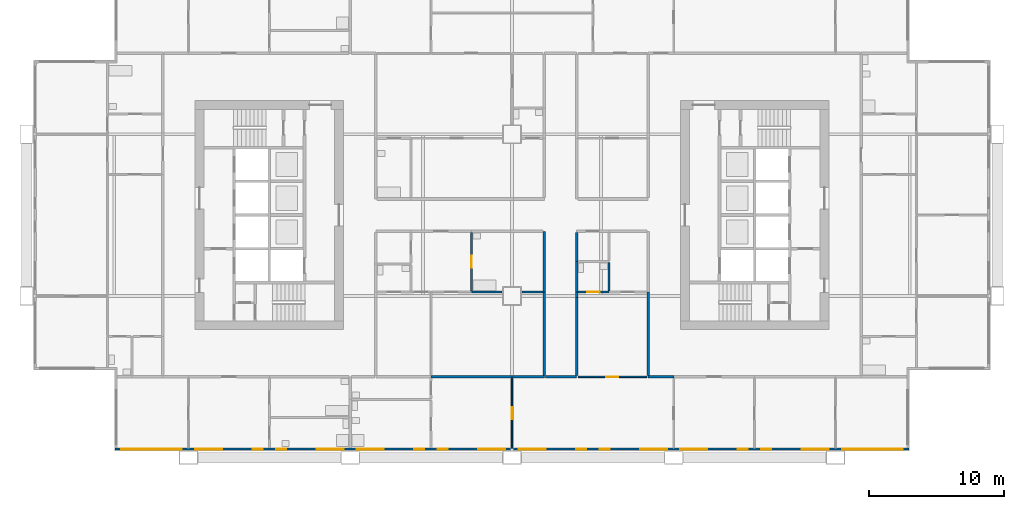
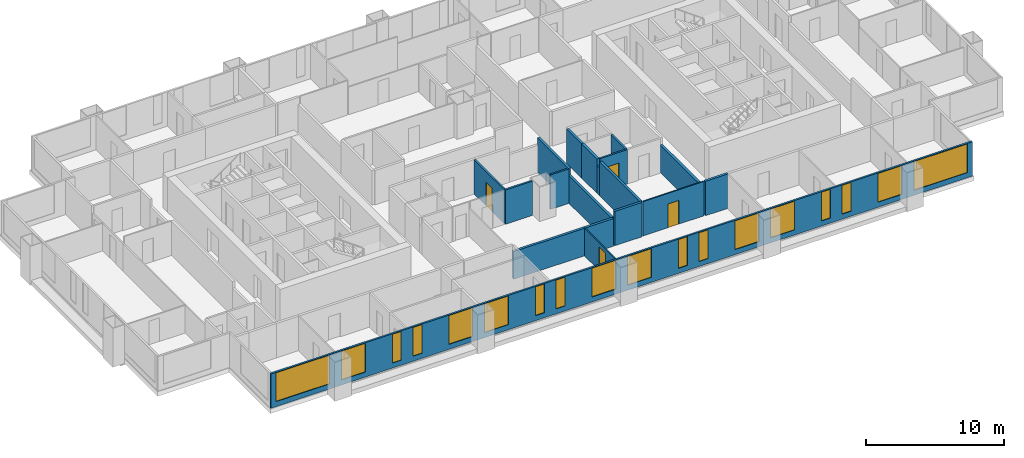
# One storey, part 5 of 13: 19 walls, 18 windows, 4 doors, 22 openings.
"""IFC4 building model written with IfcOpenShell, lengths in metres."""

from ifc_helpers import new_model, si_unit, direction, frame, frame_2d, origin, place, context, subcontext, project, spatial, rectangle, extrude, material, layer, layer_set, type_object, element, fill, save


model = new_model("IFC4")

# Units and contexts
model_context = context("Model", 3, precision=1e-05, world=origin(), true_north=direction((0.0, 1.0)))
body_context = subcontext(model_context, "Body", "Model", "MODEL_VIEW")
ifc_project = project(units=[si_unit("LENGTHUNIT", "METRE"), si_unit("AREAUNIT", "SQUARE_METRE"), si_unit("VOLUMEUNIT", "CUBIC_METRE"), si_unit("PLANEANGLEUNIT", "RADIAN"), si_unit("MASSUNIT", "GRAM", prefix="KILO")], contexts=[model_context])

# Site, building, storey
site_placement = place(None, origin())
site = spatial("IfcSite", under=ifc_project, at=site_placement, CompositionType="ELEMENT")
building_placement = place(site_placement, origin())
building = spatial("IfcBuilding", under=site, at=building_placement, Name="Kitamizu Gate Tower and Museum", CompositionType="ELEMENT")
storey_placement = place(building_placement, frame((0.0, 0.0, 144.89990234375)))
storey = spatial("IfcBuildingStorey", under=building, at=storey_placement, Name="L38", CompositionType="ELEMENT", Elevation=144.89990234375)

# Wall, opening, door
ifc_material_1 = material(Name="Gypsum board on galvanised stud")
ifc_layer_1 = layer(ifc_material_1, 0.10009765625)
ifc_layer_set_1 = layer_set([ifc_layer_1], Name="Gypsum board on galvanised stud")
wall_type_1 = type_object("IfcWallType", Name="Partition 100 NOT RATED", PredefinedType="PARTITIONING", material=ifc_layer_set_1)
wall_1_placement = place(storey_placement, frame((36.0, 12.719970703125, 0.0), z_axis=(0.0, 0.0, 1.0), x_axis=(0.0, 1.0, 0.0)))
wall_1 = element("IfcWall", 1, at=wall_1_placement, inside=storey, type_object=wall_type_1, Name="Partition L38-060", PredefinedType="PARTITIONING", context=body_context, shape_type="SweptSolid", body=[
    extrude(rectangle(XDim=5.179931640625, YDim=0.10009765625, at=frame_2d((2.58984375, 0.0))), origin(), (0.0, 0.0, 1.0), 2.4501953125),
])
opening_1_placement = place(wall_1_placement, frame((2.139892578125, 0.0, 0.0)))
opening_1 = element("IfcOpeningElement", 2, at=opening_1_placement, cuts=wall_1, Name="Opening L38-021", PredefinedType="OPENING", context=body_context, shape_type="SweptSolid", body=[
    extrude(rectangle(XDim=0.89990234375, YDim=2.10009765625, at=frame_2d((0.449951171875, 1.050048828125))), frame((0.0, 0.06005859375, 0.0), z_axis=(0.0, -1.0, 0.0), x_axis=(1.0, 0.0, 0.0)), (0.0, 0.0, 1.0), 0.1201171875),
])
ifc_material_2 = material(Name="Timber door set", Category="wood")
door_type_1 = type_object("IfcDoorType", Name="Room door 900", OperationType="NOTDEFINED", PredefinedType="DOOR", material=ifc_material_2)
door_1_placement = place(opening_1_placement, origin())
door_1 = element("IfcDoor", 3, at=door_1_placement, inside=storey, type_object=door_type_1, Name="Door L38-021", OperationType="SINGLE_SWING_LEFT", OverallHeight=2.10009765625, OverallWidth=0.89990234375, PredefinedType="DOOR", context=body_context, shape_type="SweptSolid", body=[
    extrude(rectangle(XDim=0.89990234375, YDim=2.10009765625, at=frame_2d((0.449951171875, 1.050048828125))), frame((0.0, 0.02490234375, 0.0), z_axis=(0.0, -1.0, 0.0), x_axis=(1.0, 0.0, 0.0)), (0.0, 0.0, 1.0), 0.050048828125),
])
fill(opening_1, door_1)

wall_2_placement = place(storey_placement, frame((46.0, 18.0, 0.0), z_axis=(0.0, 0.0, 1.0), x_axis=(-1.0, 0.0, 0.0)))
wall_2 = element("IfcWall", 4, at=wall_2_placement, inside=storey, type_object=wall_type_1, Name="Partition L38-062", PredefinedType="PARTITIONING", context=body_context, shape_type="SweptSolid", body=[
    extrude(rectangle(XDim=5.10009765625, YDim=0.10009765625, at=frame_2d((2.550048828125, 0.0))), origin(), (0.0, 0.0, 1.0), 3.050048828125),
])
opening_2_placement = place(wall_2_placement, frame((2.10009765625, 0.0, 0.0)))
opening_2 = element("IfcOpeningElement", 5, at=opening_2_placement, cuts=wall_2, Name="Opening L38-025", PredefinedType="OPENING", context=body_context, shape_type="SweptSolid", body=[
    extrude(rectangle(XDim=0.89990234375, YDim=2.10009765625, at=frame_2d((0.449951171875, 1.050048828125))), frame((0.0, 0.06005859375, 0.0), z_axis=(0.0, -1.0, 0.0), x_axis=(1.0, 0.0, 0.0)), (0.0, 0.0, 1.0), 0.1201171875),
])
door_2_placement = place(opening_2_placement, frame((0.89990234375, 0.0, 0.0), x_axis=(-1.0, 0.0, 0.0)))
door_2 = element("IfcDoor", 6, at=door_2_placement, inside=storey, type_object=door_type_1, Name="Door L38-025", OperationType="SINGLE_SWING_RIGHT", OverallHeight=2.10009765625, OverallWidth=0.89990234375, PredefinedType="DOOR", context=body_context, shape_type="SweptSolid", body=[
    extrude(rectangle(XDim=0.89990234375, YDim=2.10009765625, at=frame_2d((0.449951171875, 1.050048828125))), frame((0.0, 0.02490234375, 0.0), z_axis=(0.0, -1.0, 0.0), x_axis=(1.0, 0.0, 0.0)), (0.0, 0.0, 1.0), 0.050048828125),
])
fill(opening_2, door_2)

# Walls
ifc_material_3 = material(Name="Gypsum board on galvanised stud")
ifc_layer_2 = layer(ifc_material_3, 0.14990234375)
ifc_layer_set_2 = layer_set([ifc_layer_2], Name="Gypsum board on galvanised stud")
wall_type_2 = type_object("IfcWallType", Name="Partition 150", PredefinedType="PARTITIONING", material=ifc_layer_set_2)
wall_3_placement = place(storey_placement, frame((35.25, 24.300048828125, 0.0), z_axis=(0.0, 0.0, 1.0), x_axis=(-1.0, 0.0, 0.0)))
element("IfcWall", 7, at=wall_3_placement, inside=storey, type_object=wall_type_2, Name="Partition L38-040", PredefinedType="PARTITIONING", context=body_context, shape_type="SweptSolid", body=[
    extrude(rectangle(XDim=2.25, YDim=0.14990234375, at=frame_2d((1.125, 0.0))), origin(), (0.0, 0.0, 1.0), 3.050048828125),
])
wall_4_placement = place(storey_placement, frame((38.300048828125, 24.300048828125, 0.0), z_axis=(0.0, 0.0, 1.0), x_axis=(-1.0, 0.0, 0.0)))
element("IfcWall", 8, at=wall_4_placement, inside=storey, type_object=wall_type_2, Name="Partition L38-041", PredefinedType="PARTITIONING", context=body_context, shape_type="SweptSolid", body=[
    extrude(rectangle(XDim=1.550048828125, YDim=0.14990234375, at=frame_2d((0.77490234375, 0.0))), origin(), (0.0, 0.0, 1.0), 3.050048828125),
])

# Wall, opening, door
wall_5_placement = place(storey_placement, frame((33.0, 24.375, 0.0), z_axis=(0.0, 0.0, 1.0), x_axis=(0.0, 1.0, 0.0)))
wall_5 = element("IfcWall", 9, at=wall_5_placement, inside=storey, type_object=wall_type_2, Name="Partition L38-051", PredefinedType="PARTITIONING", context=body_context, shape_type="SweptSolid", body=[
    extrude(rectangle(XDim=4.324951171875, YDim=0.14990234375, at=frame_2d((2.16259765625, 0.0))), origin(), (0.0, 0.0, 1.0), 3.050048828125),
])
opening_3_placement = place(wall_5_placement, frame((1.71240234375, 0.0, 0.0)))
opening_3 = element("IfcOpeningElement", 10, at=opening_3_placement, cuts=wall_5, Name="Opening L38-018", PredefinedType="OPENING", context=body_context, shape_type="SweptSolid", body=[
    extrude(rectangle(XDim=0.89990234375, YDim=2.10009765625, at=frame_2d((0.449951171875, 1.050048828125))), frame((0.0, 0.0849609375, 0.0), z_axis=(0.0, -1.0, 0.0), x_axis=(1.0, 0.0, 0.0)), (0.0, 0.0, 1.0), 0.169921875),
])
ifc_material_4 = material(Name="Timber door set", Category="wood")
door_type_2 = type_object("IfcDoorType", Name="Bathroom door 900", OperationType="NOTDEFINED", PredefinedType="DOOR", material=ifc_material_4)
door_3_placement = place(opening_3_placement, frame((0.89990234375, 0.0, 0.0), x_axis=(-1.0, 0.0, 0.0)))
door_3 = element("IfcDoor", 11, at=door_3_placement, inside=storey, type_object=door_type_2, Name="Bathroom door L38-018", OperationType="SINGLE_SWING_LEFT", OverallHeight=2.10009765625, OverallWidth=0.89990234375, PredefinedType="DOOR", context=body_context, shape_type="SweptSolid", body=[
    extrude(rectangle(XDim=0.89990234375, YDim=2.10009765625, at=frame_2d((0.449951171875, 1.050048828125))), frame((0.0, 0.02490234375, 0.0), z_axis=(0.0, -1.0, 0.0), x_axis=(1.0, 0.0, 0.0)), (0.0, 0.0, 1.0), 0.050048828125),
])
fill(opening_3, door_3)

wall_6_placement = place(storey_placement, frame((43.199951171875, 24.300048828125, 0.0), z_axis=(0.0, 0.0, 1.0), x_axis=(-1.0, 0.0, 0.0)))
wall_6 = element("IfcWall", 12, at=wall_6_placement, inside=storey, type_object=wall_type_2, Name="Partition L38-071", PredefinedType="PARTITIONING", context=body_context, shape_type="SweptSolid", body=[
    extrude(rectangle(XDim=2.300048828125, YDim=0.14990234375, at=frame_2d((1.14990234375, 0.0))), origin(), (0.0, 0.0, 1.0), 3.050048828125),
])
opening_4_placement = place(wall_6_placement, frame((0.699951171875, 0.0, 0.0)))
opening_4 = element("IfcOpeningElement", 13, at=opening_4_placement, cuts=wall_6, Name="Opening L38-027", PredefinedType="OPENING", context=body_context, shape_type="SweptSolid", body=[
    extrude(rectangle(XDim=0.89990234375, YDim=2.10009765625, at=frame_2d((0.449951171875, 1.050048828125))), frame((0.0, 0.0849609375, 0.0), z_axis=(0.0, -1.0, 0.0), x_axis=(1.0, 0.0, 0.0)), (0.0, 0.0, 1.0), 0.169921875),
])
door_4_placement = place(opening_4_placement, frame((0.89990234375, 0.0, 0.0), x_axis=(-1.0, 0.0, 0.0)))
door_4 = element("IfcDoor", 14, at=door_4_placement, inside=storey, type_object=door_type_2, Name="Bathroom door L38-027", OperationType="SINGLE_SWING_RIGHT", OverallHeight=2.10009765625, OverallWidth=0.89990234375, PredefinedType="DOOR", context=body_context, shape_type="SweptSolid", body=[
    extrude(rectangle(XDim=0.89990234375, YDim=2.10009765625, at=frame_2d((0.449951171875, 1.050048828125))), frame((0.0, 0.02490234375, 0.0), z_axis=(0.0, -1.0, 0.0), x_axis=(1.0, 0.0, 0.0)), (0.0, 0.0, 1.0), 0.050048828125),
])
fill(opening_4, door_4)

# Walls
wall_7_placement = place(storey_placement, frame((43.199951171875, 24.375, 0.0), z_axis=(0.0, 0.0, 1.0), x_axis=(0.0, 1.0, 0.0)))
element("IfcWall", 15, at=wall_7_placement, inside=storey, type_object=wall_type_2, Name="Partition L38-077", PredefinedType="PARTITIONING", context=body_context, shape_type="SweptSolid", body=[
    extrude(rectangle(XDim=2.10009765625, YDim=0.14990234375, at=frame_2d((1.050048828125, 0.0))), origin(), (0.0, 0.0, 1.0), 3.050048828125),
])
ifc_material_5 = material(Name="Gypsum board on galvanised stud")
ifc_layer_3 = layer(ifc_material_5, 0.199951171875)
ifc_layer_set_3 = layer_set([ifc_layer_3], Name="Gypsum board on galvanised stud")
wall_type_3 = type_object("IfcWallType", Name="Partition 200", PredefinedType="PARTITIONING", material=ifc_layer_set_3)
wall_8_placement = place(storey_placement, frame((30.0, 18.0, 0.0), z_axis=(0.0, 0.0, 1.0), x_axis=(1.0, 0.0, 0.0)))
element("IfcWall", 16, at=wall_8_placement, inside=storey, type_object=wall_type_3, Name="Partition L38-042", PredefinedType="PARTITIONING", context=body_context, shape_type="SweptSolid", body=[
    extrude(rectangle(XDim=6.0, YDim=0.199951171875, at=frame_2d((3.0, 0.0))), origin(), (0.0, 0.0, 1.0), 2.4501953125),
])
wall_9_placement = place(storey_placement, frame((36.0, 18.0, 0.0), z_axis=(0.0, 0.0, 1.0), x_axis=(1.0, 0.0, 0.0)))
element("IfcWall", 17, at=wall_9_placement, inside=storey, type_object=wall_type_3, Name="Partition L38-043", PredefinedType="PARTITIONING", context=body_context, shape_type="SweptSolid", body=[
    extrude(rectangle(XDim=2.39990234375, YDim=0.199951171875, at=frame_2d((1.199951171875, 0.0))), origin(), (0.0, 0.0, 1.0), 2.4501953125),
])
wall_10_placement = place(storey_placement, frame((38.39990234375, 18.10009765625, 0.0), z_axis=(0.0, 0.0, 1.0), x_axis=(0.0, 1.0, 0.0)))
element("IfcWall", 18, at=wall_10_placement, inside=storey, type_object=wall_type_3, Name="Partition L38-044", PredefinedType="PARTITIONING", context=body_context, shape_type="SweptSolid", body=[
    extrude(rectangle(XDim=6.199951171875, YDim=0.199951171875, at=frame_2d((3.10009765625, 0.0))), origin(), (0.0, 0.0, 1.0), 2.4501953125),
])
wall_11_placement = place(storey_placement, frame((38.39990234375, 24.300048828125, 0.0), z_axis=(0.0, 0.0, 1.0), x_axis=(0.0, 1.0, 0.0)))
element("IfcWall", 19, at=wall_11_placement, inside=storey, type_object=wall_type_3, Name="Partition L38-053", PredefinedType="PARTITIONING", context=body_context, shape_type="SweptSolid", body=[
    extrude(rectangle(XDim=4.5, YDim=0.199951171875, at=frame_2d((2.25, 0.0))), origin(), (0.0, 0.0, 1.0), 3.050048828125),
])
wall_12_placement = place(storey_placement, frame((40.800048828125, 18.0, 0.0), z_axis=(0.0, 0.0, 1.0), x_axis=(-1.0, 0.0, 0.0)))
element("IfcWall", 20, at=wall_12_placement, inside=storey, type_object=wall_type_3, Name="Partition L38-063", PredefinedType="PARTITIONING", context=body_context, shape_type="SweptSolid", body=[
    extrude(rectangle(XDim=2.300048828125, YDim=0.199951171875, at=frame_2d((1.14990234375, 0.0))), origin(), (0.0, 0.0, 1.0), 3.050048828125),
])
wall_13_placement = place(storey_placement, frame((48.0, 18.0, 0.0), z_axis=(0.0, 0.0, 1.0), x_axis=(-1.0, 0.0, 0.0)))
element("IfcWall", 21, at=wall_13_placement, inside=storey, type_object=wall_type_3, Name="Partition L38-064", PredefinedType="PARTITIONING", context=body_context, shape_type="SweptSolid", body=[
    extrude(rectangle(XDim=1.89990234375, YDim=0.199951171875, at=frame_2d((0.949951171875, 0.0))), origin(), (0.0, 0.0, 1.0), 3.050048828125),
])
wall_14_placement = place(storey_placement, frame((40.800048828125, 24.300048828125, 0.0), z_axis=(0.0, 0.0, 1.0), x_axis=(0.0, -1.0, 0.0)))
element("IfcWall", 22, at=wall_14_placement, inside=storey, type_object=wall_type_3, Name="Partition L38-073", PredefinedType="PARTITIONING", context=body_context, shape_type="SweptSolid", body=[
    extrude(rectangle(XDim=0.400146484375, YDim=0.199951171875, at=frame_2d((0.2001953125, 0.0))), origin(), (0.0, 0.0, 1.0), 2.4501953125),
])
wall_15_placement = place(storey_placement, frame((40.800048828125, 23.89990234375, 0.0), z_axis=(0.0, 0.0, 1.0), x_axis=(0.0, -1.0, 0.0)))
element("IfcWall", 23, at=wall_15_placement, inside=storey, type_object=wall_type_3, Name="Partition L38-074", PredefinedType="PARTITIONING", context=body_context, shape_type="SweptSolid", body=[
    extrude(rectangle(XDim=5.7998046875, YDim=0.199951171875, at=frame_2d((2.89990234375, 0.0))), origin(), (0.0, 0.0, 1.0), 3.050048828125),
])
wall_16_placement = place(storey_placement, frame((46.10009765625, 18.10009765625, 0.0), z_axis=(0.0, 0.0, 1.0), x_axis=(0.0, 1.0, 0.0)))
element("IfcWall", 24, at=wall_16_placement, inside=storey, type_object=wall_type_3, Name="Partition L38-075", PredefinedType="PARTITIONING", context=body_context, shape_type="SweptSolid", body=[
    extrude(rectangle(XDim=6.199951171875, YDim=0.199951171875, at=frame_2d((3.10009765625, 0.0))), origin(), (0.0, 0.0, 1.0), 2.4501953125),
])
wall_17_placement = place(storey_placement, frame((40.800048828125, 26.550048828125, 0.0), z_axis=(0.0, 0.0, 1.0), x_axis=(0.0, -1.0, 0.0)))
element("IfcWall", 25, at=wall_17_placement, inside=storey, type_object=wall_type_3, Name="Partition L38-078", PredefinedType="PARTITIONING", context=body_context, shape_type="SweptSolid", body=[
    extrude(rectangle(XDim=2.25, YDim=0.199951171875, at=frame_2d((1.125, 0.0))), origin(), (0.0, 0.0, 1.0), 3.050048828125),
])
wall_18_placement = place(storey_placement, frame((40.800048828125, 28.699951171875, 0.0), z_axis=(0.0, 0.0, 1.0), x_axis=(0.0, -1.0, 0.0)))
element("IfcWall", 26, at=wall_18_placement, inside=storey, type_object=wall_type_3, Name="Partition L38-081", PredefinedType="PARTITIONING", context=body_context, shape_type="SweptSolid", body=[
    extrude(rectangle(XDim=2.14990234375, YDim=0.199951171875, at=frame_2d((1.074951171875, 0.0))), origin(), (0.0, 0.0, 1.0), 3.050048828125),
])

# Wall, openings, windows
ifc_material_6 = material(Name="Bronze anodised aluminium frame with insulated spandrel and tinted glass", Category="aluminium")
ifc_layer_4 = layer(ifc_material_6, 0.14990234375)
ifc_layer_set_4 = layer_set([ifc_layer_4], Name="Bronze anodised aluminium frame with insulated spandrel and tinted glass")
wall_type_4 = type_object("IfcWallType", Name="WINDOW WALL 150 BRONZE FRAME EI 30", PredefinedType="ELEMENTEDWALL", material=ifc_layer_set_4)
wall_19_placement = place(storey_placement, frame((6.56005859375, 12.635009765625, 0.0), z_axis=(0.0, 0.0, 1.0), x_axis=(1.0, 0.0, 0.0)))
wall_19 = element("IfcWall", 27, at=wall_19_placement, inside=storey, type_object=wall_type_4, Name="Window wall south L38", PredefinedType="ELEMENTEDWALL", context=body_context, shape_type="SweptSolid", body=[
    extrude(rectangle(XDim=58.8798828125, YDim=0.14990234375, at=frame_2d((29.43994140625, 0.0))), origin(), (0.0, 0.0, 1.0), 3.050048828125),
])
opening_5_placement = place(wall_19_placement, frame((0.43994140625, 0.0, 0.449951171875)))
opening_5 = element("IfcOpeningElement", 28, at=opening_5_placement, cuts=wall_19, Name="Opening W15", PredefinedType="OPENING", context=body_context, shape_type="SweptSolid", body=[
    extrude(rectangle(XDim=4.5, YDim=2.550048828125, at=frame_2d((2.25, 1.27490234375))), frame((0.0, 0.0849609375, 0.0), z_axis=(0.0, -1.0, 0.0), x_axis=(1.0, 0.0, 0.0)), (0.0, 0.0, 1.0), 0.169921875),
])
opening_6_placement = place(wall_19_placement, frame((5.93994140625, 0.0, 0.449951171875)))
opening_6 = element("IfcOpeningElement", 29, at=opening_6_placement, cuts=wall_19, Name="Opening W2", PredefinedType="OPENING", context=body_context, shape_type="SweptSolid", body=[
    extrude(rectangle(XDim=2.0, YDim=2.550048828125, at=frame_2d((1.0, 1.27490234375))), frame((0.0, 0.0849609375, 0.0), z_axis=(0.0, -1.0, 0.0), x_axis=(1.0, 0.0, 0.0)), (0.0, 0.0, 1.0), 0.169921875),
])
opening_7_placement = place(wall_19_placement, frame((10.18994140625, 0.0, 0.449951171875)))
opening_7 = element("IfcOpeningElement", 30, at=opening_7_placement, cuts=wall_19, Name="Opening W25", PredefinedType="OPENING", context=body_context, shape_type="SweptSolid", body=[
    extrude(rectangle(XDim=0.75, YDim=2.550048828125, at=frame_2d((0.375, 1.27490234375))), frame((0.0, 0.0849609375, 0.0), z_axis=(0.0, -1.0, 0.0), x_axis=(1.0, 0.0, 0.0)), (0.0, 0.0, 1.0), 0.169921875),
])
opening_8_placement = place(wall_19_placement, frame((11.93994140625, 0.0, 0.449951171875)))
opening_8 = element("IfcOpeningElement", 31, at=opening_8_placement, cuts=wall_19, Name="Opening W25", PredefinedType="OPENING", context=body_context, shape_type="SweptSolid", body=[
    extrude(rectangle(XDim=0.75, YDim=2.550048828125, at=frame_2d((0.375, 1.27490234375))), frame((0.0, 0.0849609375, 0.0), z_axis=(0.0, -1.0, 0.0), x_axis=(1.0, 0.0, 0.0)), (0.0, 0.0, 1.0), 0.169921875),
])
opening_9_placement = place(wall_19_placement, frame((14.93994140625, 0.0, 0.449951171875)))
opening_9 = element("IfcOpeningElement", 32, at=opening_9_placement, cuts=wall_19, Name="Opening W2", PredefinedType="OPENING", context=body_context, shape_type="SweptSolid", body=[
    extrude(rectangle(XDim=2.0, YDim=2.550048828125, at=frame_2d((1.0, 1.27490234375))), frame((0.0, 0.0849609375, 0.0), z_axis=(0.0, -1.0, 0.0), x_axis=(1.0, 0.0, 0.0)), (0.0, 0.0, 1.0), 0.169921875),
])
opening_10_placement = place(wall_19_placement, frame((17.93994140625, 0.0, 0.449951171875)))
opening_10 = element("IfcOpeningElement", 33, at=opening_10_placement, cuts=wall_19, Name="Opening W2", PredefinedType="OPENING", context=body_context, shape_type="SweptSolid", body=[
    extrude(rectangle(XDim=2.0, YDim=2.550048828125, at=frame_2d((1.0, 1.27490234375))), frame((0.0, 0.0849609375, 0.0), z_axis=(0.0, -1.0, 0.0), x_axis=(1.0, 0.0, 0.0)), (0.0, 0.0, 1.0), 0.169921875),
])
opening_11_placement = place(wall_19_placement, frame((22.18994140625, 0.0, 0.449951171875)))
opening_11 = element("IfcOpeningElement", 34, at=opening_11_placement, cuts=wall_19, Name="Opening W25", PredefinedType="OPENING", context=body_context, shape_type="SweptSolid", body=[
    extrude(rectangle(XDim=0.75, YDim=2.550048828125, at=frame_2d((0.375, 1.27490234375))), frame((0.0, 0.0849609375, 0.0), z_axis=(0.0, -1.0, 0.0), x_axis=(1.0, 0.0, 0.0)), (0.0, 0.0, 1.0), 0.169921875),
])
opening_12_placement = place(wall_19_placement, frame((23.93994140625, 0.0, 0.449951171875)))
opening_12 = element("IfcOpeningElement", 35, at=opening_12_placement, cuts=wall_19, Name="Opening W25", PredefinedType="OPENING", context=body_context, shape_type="SweptSolid", body=[
    extrude(rectangle(XDim=0.75, YDim=2.550048828125, at=frame_2d((0.375, 1.27490234375))), frame((0.0, 0.0849609375, 0.0), z_axis=(0.0, -1.0, 0.0), x_axis=(1.0, 0.0, 0.0)), (0.0, 0.0, 1.0), 0.169921875),
])
opening_13_placement = place(wall_19_placement, frame((26.93994140625, 0.0, 0.449951171875)))
opening_13 = element("IfcOpeningElement", 36, at=opening_13_placement, cuts=wall_19, Name="Opening W2", PredefinedType="OPENING", context=body_context, shape_type="SweptSolid", body=[
    extrude(rectangle(XDim=2.0, YDim=2.550048828125, at=frame_2d((1.0, 1.27490234375))), frame((0.0, 0.0849609375, 0.0), z_axis=(0.0, -1.0, 0.0), x_axis=(1.0, 0.0, 0.0)), (0.0, 0.0, 1.0), 0.169921875),
])
opening_14_placement = place(wall_19_placement, frame((29.93994140625, 0.0, 0.449951171875)))
opening_14 = element("IfcOpeningElement", 37, at=opening_14_placement, cuts=wall_19, Name="Opening W2", PredefinedType="OPENING", context=body_context, shape_type="SweptSolid", body=[
    extrude(rectangle(XDim=2.0, YDim=2.550048828125, at=frame_2d((1.0, 1.27490234375))), frame((0.0, 0.0849609375, 0.0), z_axis=(0.0, -1.0, 0.0), x_axis=(1.0, 0.0, 0.0)), (0.0, 0.0, 1.0), 0.169921875),
])
opening_15_placement = place(wall_19_placement, frame((34.18994140625, 0.0, 0.449951171875)))
opening_15 = element("IfcOpeningElement", 38, at=opening_15_placement, cuts=wall_19, Name="Opening W25", PredefinedType="OPENING", context=body_context, shape_type="SweptSolid", body=[
    extrude(rectangle(XDim=0.75, YDim=2.550048828125, at=frame_2d((0.375, 1.27490234375))), frame((0.0, 0.0849609375, 0.0), z_axis=(0.0, -1.0, 0.0), x_axis=(1.0, 0.0, 0.0)), (0.0, 0.0, 1.0), 0.169921875),
])
opening_16_placement = place(wall_19_placement, frame((35.93994140625, 0.0, 0.449951171875)))
opening_16 = element("IfcOpeningElement", 39, at=opening_16_placement, cuts=wall_19, Name="Opening W25", PredefinedType="OPENING", context=body_context, shape_type="SweptSolid", body=[
    extrude(rectangle(XDim=0.75, YDim=2.550048828125, at=frame_2d((0.375, 1.27490234375))), frame((0.0, 0.0849609375, 0.0), z_axis=(0.0, -1.0, 0.0), x_axis=(1.0, 0.0, 0.0)), (0.0, 0.0, 1.0), 0.169921875),
])
opening_17_placement = place(wall_19_placement, frame((38.93994140625, 0.0, 0.449951171875)))
opening_17 = element("IfcOpeningElement", 40, at=opening_17_placement, cuts=wall_19, Name="Opening W2", PredefinedType="OPENING", context=body_context, shape_type="SweptSolid", body=[
    extrude(rectangle(XDim=2.0, YDim=2.550048828125, at=frame_2d((1.0, 1.27490234375))), frame((0.0, 0.0849609375, 0.0), z_axis=(0.0, -1.0, 0.0), x_axis=(1.0, 0.0, 0.0)), (0.0, 0.0, 1.0), 0.169921875),
])
opening_18_placement = place(wall_19_placement, frame((41.93994140625, 0.0, 0.449951171875)))
opening_18 = element("IfcOpeningElement", 41, at=opening_18_placement, cuts=wall_19, Name="Opening W2", PredefinedType="OPENING", context=body_context, shape_type="SweptSolid", body=[
    extrude(rectangle(XDim=2.0, YDim=2.550048828125, at=frame_2d((1.0, 1.27490234375))), frame((0.0, 0.0849609375, 0.0), z_axis=(0.0, -1.0, 0.0), x_axis=(1.0, 0.0, 0.0)), (0.0, 0.0, 1.0), 0.169921875),
])
opening_19_placement = place(wall_19_placement, frame((46.18994140625, 0.0, 0.449951171875)))
opening_19 = element("IfcOpeningElement", 42, at=opening_19_placement, cuts=wall_19, Name="Opening W25", PredefinedType="OPENING", context=body_context, shape_type="SweptSolid", body=[
    extrude(rectangle(XDim=0.75, YDim=2.550048828125, at=frame_2d((0.375, 1.27490234375))), frame((0.0, 0.0849609375, 0.0), z_axis=(0.0, -1.0, 0.0), x_axis=(1.0, 0.0, 0.0)), (0.0, 0.0, 1.0), 0.169921875),
])
opening_20_placement = place(wall_19_placement, frame((47.93994140625, 0.0, 0.449951171875)))
opening_20 = element("IfcOpeningElement", 43, at=opening_20_placement, cuts=wall_19, Name="Opening W25", PredefinedType="OPENING", context=body_context, shape_type="SweptSolid", body=[
    extrude(rectangle(XDim=0.75, YDim=2.550048828125, at=frame_2d((0.375, 1.27490234375))), frame((0.0, 0.0849609375, 0.0), z_axis=(0.0, -1.0, 0.0), x_axis=(1.0, 0.0, 0.0)), (0.0, 0.0, 1.0), 0.169921875),
])
opening_21_placement = place(wall_19_placement, frame((50.93994140625, 0.0, 0.449951171875)))
opening_21 = element("IfcOpeningElement", 44, at=opening_21_placement, cuts=wall_19, Name="Opening W2", PredefinedType="OPENING", context=body_context, shape_type="SweptSolid", body=[
    extrude(rectangle(XDim=2.0, YDim=2.550048828125, at=frame_2d((1.0, 1.27490234375))), frame((0.0, 0.0849609375, 0.0), z_axis=(0.0, -1.0, 0.0), x_axis=(1.0, 0.0, 0.0)), (0.0, 0.0, 1.0), 0.169921875),
])
opening_22_placement = place(wall_19_placement, frame((53.93994140625, 0.0, 0.449951171875)))
opening_22 = element("IfcOpeningElement", 45, at=opening_22_placement, cuts=wall_19, Name="Opening W15", PredefinedType="OPENING", context=body_context, shape_type="SweptSolid", body=[
    extrude(rectangle(XDim=4.5, YDim=2.550048828125, at=frame_2d((2.25, 1.27490234375))), frame((0.0, 0.0849609375, 0.0), z_axis=(0.0, -1.0, 0.0), x_axis=(1.0, 0.0, 0.0)), (0.0, 0.0, 1.0), 0.169921875),
])
ifc_material_7 = material(Name="Bronze anodised aluminium frame, tinted triple glazing", Category="aluminium")
window_type_1 = type_object("IfcWindowType", Name="WINDOW 2000 x 2550 SILL 450", PartitioningType="SINGLE_PANEL", PredefinedType="WINDOW", material=ifc_material_7)
window_1_placement = place(opening_6_placement, origin())
window_1 = element("IfcWindow", 46, at=window_1_placement, inside=storey, type_object=window_type_1, Name="Window W2 L38", OverallHeight=2.550048828125, OverallWidth=2.0, PartitioningType="SINGLE_PANEL", PredefinedType="WINDOW", context=body_context, shape_type="SweptSolid", body=[
    extrude(rectangle(XDim=2.0, YDim=2.550048828125, at=frame_2d((1.0, 1.27490234375))), frame((0.0, 0.030029296875, 0.0), z_axis=(0.0, -1.0, 0.0), x_axis=(1.0, 0.0, 0.0)), (0.0, 0.0, 1.0), 0.06005859375),
])
fill(opening_6, window_1)
window_2_placement = place(opening_9_placement, origin())
window_2 = element("IfcWindow", 47, at=window_2_placement, inside=storey, type_object=window_type_1, Name="Window W2 L38", OverallHeight=2.550048828125, OverallWidth=2.0, PartitioningType="SINGLE_PANEL", PredefinedType="WINDOW", context=body_context, shape_type="SweptSolid", body=[
    extrude(rectangle(XDim=2.0, YDim=2.550048828125, at=frame_2d((1.0, 1.27490234375))), frame((0.0, 0.030029296875, 0.0), z_axis=(0.0, -1.0, 0.0), x_axis=(1.0, 0.0, 0.0)), (0.0, 0.0, 1.0), 0.06005859375),
])
fill(opening_9, window_2)
window_3_placement = place(opening_10_placement, origin())
window_3 = element("IfcWindow", 48, at=window_3_placement, inside=storey, type_object=window_type_1, Name="Window W2 L38", OverallHeight=2.550048828125, OverallWidth=2.0, PartitioningType="SINGLE_PANEL", PredefinedType="WINDOW", context=body_context, shape_type="SweptSolid", body=[
    extrude(rectangle(XDim=2.0, YDim=2.550048828125, at=frame_2d((1.0, 1.27490234375))), frame((0.0, 0.030029296875, 0.0), z_axis=(0.0, -1.0, 0.0), x_axis=(1.0, 0.0, 0.0)), (0.0, 0.0, 1.0), 0.06005859375),
])
fill(opening_10, window_3)
window_4_placement = place(opening_13_placement, origin())
window_4 = element("IfcWindow", 49, at=window_4_placement, inside=storey, type_object=window_type_1, Name="Window W2 L38", OverallHeight=2.550048828125, OverallWidth=2.0, PartitioningType="SINGLE_PANEL", PredefinedType="WINDOW", context=body_context, shape_type="SweptSolid", body=[
    extrude(rectangle(XDim=2.0, YDim=2.550048828125, at=frame_2d((1.0, 1.27490234375))), frame((0.0, 0.030029296875, 0.0), z_axis=(0.0, -1.0, 0.0), x_axis=(1.0, 0.0, 0.0)), (0.0, 0.0, 1.0), 0.06005859375),
])
fill(opening_13, window_4)
window_5_placement = place(opening_14_placement, origin())
window_5 = element("IfcWindow", 50, at=window_5_placement, inside=storey, type_object=window_type_1, Name="Window W2 L38", OverallHeight=2.550048828125, OverallWidth=2.0, PartitioningType="SINGLE_PANEL", PredefinedType="WINDOW", context=body_context, shape_type="SweptSolid", body=[
    extrude(rectangle(XDim=2.0, YDim=2.550048828125, at=frame_2d((1.0, 1.27490234375))), frame((0.0, 0.030029296875, 0.0), z_axis=(0.0, -1.0, 0.0), x_axis=(1.0, 0.0, 0.0)), (0.0, 0.0, 1.0), 0.06005859375),
])
fill(opening_14, window_5)
window_6_placement = place(opening_17_placement, origin())
window_6 = element("IfcWindow", 51, at=window_6_placement, inside=storey, type_object=window_type_1, Name="Window W2 L38", OverallHeight=2.550048828125, OverallWidth=2.0, PartitioningType="SINGLE_PANEL", PredefinedType="WINDOW", context=body_context, shape_type="SweptSolid", body=[
    extrude(rectangle(XDim=2.0, YDim=2.550048828125, at=frame_2d((1.0, 1.27490234375))), frame((0.0, 0.030029296875, 0.0), z_axis=(0.0, -1.0, 0.0), x_axis=(1.0, 0.0, 0.0)), (0.0, 0.0, 1.0), 0.06005859375),
])
fill(opening_17, window_6)
window_7_placement = place(opening_18_placement, origin())
window_7 = element("IfcWindow", 52, at=window_7_placement, inside=storey, type_object=window_type_1, Name="Window W2 L38", OverallHeight=2.550048828125, OverallWidth=2.0, PartitioningType="SINGLE_PANEL", PredefinedType="WINDOW", context=body_context, shape_type="SweptSolid", body=[
    extrude(rectangle(XDim=2.0, YDim=2.550048828125, at=frame_2d((1.0, 1.27490234375))), frame((0.0, 0.030029296875, 0.0), z_axis=(0.0, -1.0, 0.0), x_axis=(1.0, 0.0, 0.0)), (0.0, 0.0, 1.0), 0.06005859375),
])
fill(opening_18, window_7)
window_8_placement = place(opening_21_placement, origin())
window_8 = element("IfcWindow", 53, at=window_8_placement, inside=storey, type_object=window_type_1, Name="Window W2 L38", OverallHeight=2.550048828125, OverallWidth=2.0, PartitioningType="SINGLE_PANEL", PredefinedType="WINDOW", context=body_context, shape_type="SweptSolid", body=[
    extrude(rectangle(XDim=2.0, YDim=2.550048828125, at=frame_2d((1.0, 1.27490234375))), frame((0.0, 0.030029296875, 0.0), z_axis=(0.0, -1.0, 0.0), x_axis=(1.0, 0.0, 0.0)), (0.0, 0.0, 1.0), 0.06005859375),
])
fill(opening_21, window_8)
ifc_material_8 = material(Name="Bronze anodised aluminium frame, tinted triple glazing", Category="aluminium")
window_type_2 = type_object("IfcWindowType", Name="WINDOW 4500 x 2550 SILL 450", PartitioningType="SINGLE_PANEL", PredefinedType="WINDOW", material=ifc_material_8)
window_9_placement = place(opening_5_placement, origin())
window_9 = element("IfcWindow", 54, at=window_9_placement, inside=storey, type_object=window_type_2, Name="Window W15 L38", OverallHeight=2.550048828125, OverallWidth=4.5, PartitioningType="SINGLE_PANEL", PredefinedType="WINDOW", context=body_context, shape_type="SweptSolid", body=[
    extrude(rectangle(XDim=4.5, YDim=2.550048828125, at=frame_2d((2.25, 1.27490234375))), frame((0.0, 0.030029296875, 0.0), z_axis=(0.0, -1.0, 0.0), x_axis=(1.0, 0.0, 0.0)), (0.0, 0.0, 1.0), 0.06005859375),
])
fill(opening_5, window_9)
window_10_placement = place(opening_22_placement, origin())
window_10 = element("IfcWindow", 55, at=window_10_placement, inside=storey, type_object=window_type_2, Name="Window W15 L38", OverallHeight=2.550048828125, OverallWidth=4.5, PartitioningType="SINGLE_PANEL", PredefinedType="WINDOW", context=body_context, shape_type="SweptSolid", body=[
    extrude(rectangle(XDim=4.5, YDim=2.550048828125, at=frame_2d((2.25, 1.27490234375))), frame((0.0, 0.030029296875, 0.0), z_axis=(0.0, -1.0, 0.0), x_axis=(1.0, 0.0, 0.0)), (0.0, 0.0, 1.0), 0.06005859375),
])
fill(opening_22, window_10)
ifc_material_9 = material(Name="Bronze anodised aluminium frame, tinted triple glazing", Category="aluminium")
window_type_3 = type_object("IfcWindowType", Name="WINDOW 750 x 2550 SILL 450", PartitioningType="SINGLE_PANEL", PredefinedType="WINDOW", material=ifc_material_9)
window_11_placement = place(opening_7_placement, origin())
window_11 = element("IfcWindow", 56, at=window_11_placement, inside=storey, type_object=window_type_3, Name="Window W25 L38", OverallHeight=2.550048828125, OverallWidth=0.75, PartitioningType="SINGLE_PANEL", PredefinedType="WINDOW", context=body_context, shape_type="SweptSolid", body=[
    extrude(rectangle(XDim=0.75, YDim=2.550048828125, at=frame_2d((0.375, 1.27490234375))), frame((0.0, 0.030029296875, 0.0), z_axis=(0.0, -1.0, 0.0), x_axis=(1.0, 0.0, 0.0)), (0.0, 0.0, 1.0), 0.06005859375),
])
fill(opening_7, window_11)
window_12_placement = place(opening_8_placement, origin())
window_12 = element("IfcWindow", 57, at=window_12_placement, inside=storey, type_object=window_type_3, Name="Window W25 L38", OverallHeight=2.550048828125, OverallWidth=0.75, PartitioningType="SINGLE_PANEL", PredefinedType="WINDOW", context=body_context, shape_type="SweptSolid", body=[
    extrude(rectangle(XDim=0.75, YDim=2.550048828125, at=frame_2d((0.375, 1.27490234375))), frame((0.0, 0.030029296875, 0.0), z_axis=(0.0, -1.0, 0.0), x_axis=(1.0, 0.0, 0.0)), (0.0, 0.0, 1.0), 0.06005859375),
])
fill(opening_8, window_12)
window_13_placement = place(opening_11_placement, origin())
window_13 = element("IfcWindow", 58, at=window_13_placement, inside=storey, type_object=window_type_3, Name="Window W25 L38", OverallHeight=2.550048828125, OverallWidth=0.75, PartitioningType="SINGLE_PANEL", PredefinedType="WINDOW", context=body_context, shape_type="SweptSolid", body=[
    extrude(rectangle(XDim=0.75, YDim=2.550048828125, at=frame_2d((0.375, 1.27490234375))), frame((0.0, 0.030029296875, 0.0), z_axis=(0.0, -1.0, 0.0), x_axis=(1.0, 0.0, 0.0)), (0.0, 0.0, 1.0), 0.06005859375),
])
fill(opening_11, window_13)
window_14_placement = place(opening_12_placement, origin())
window_14 = element("IfcWindow", 59, at=window_14_placement, inside=storey, type_object=window_type_3, Name="Window W25 L38", OverallHeight=2.550048828125, OverallWidth=0.75, PartitioningType="SINGLE_PANEL", PredefinedType="WINDOW", context=body_context, shape_type="SweptSolid", body=[
    extrude(rectangle(XDim=0.75, YDim=2.550048828125, at=frame_2d((0.375, 1.27490234375))), frame((0.0, 0.030029296875, 0.0), z_axis=(0.0, -1.0, 0.0), x_axis=(1.0, 0.0, 0.0)), (0.0, 0.0, 1.0), 0.06005859375),
])
fill(opening_12, window_14)
window_15_placement = place(opening_15_placement, origin())
window_15 = element("IfcWindow", 60, at=window_15_placement, inside=storey, type_object=window_type_3, Name="Window W25 L38", OverallHeight=2.550048828125, OverallWidth=0.75, PartitioningType="SINGLE_PANEL", PredefinedType="WINDOW", context=body_context, shape_type="SweptSolid", body=[
    extrude(rectangle(XDim=0.75, YDim=2.550048828125, at=frame_2d((0.375, 1.27490234375))), frame((0.0, 0.030029296875, 0.0), z_axis=(0.0, -1.0, 0.0), x_axis=(1.0, 0.0, 0.0)), (0.0, 0.0, 1.0), 0.06005859375),
])
fill(opening_15, window_15)
window_16_placement = place(opening_16_placement, origin())
window_16 = element("IfcWindow", 61, at=window_16_placement, inside=storey, type_object=window_type_3, Name="Window W25 L38", OverallHeight=2.550048828125, OverallWidth=0.75, PartitioningType="SINGLE_PANEL", PredefinedType="WINDOW", context=body_context, shape_type="SweptSolid", body=[
    extrude(rectangle(XDim=0.75, YDim=2.550048828125, at=frame_2d((0.375, 1.27490234375))), frame((0.0, 0.030029296875, 0.0), z_axis=(0.0, -1.0, 0.0), x_axis=(1.0, 0.0, 0.0)), (0.0, 0.0, 1.0), 0.06005859375),
])
fill(opening_16, window_16)
window_17_placement = place(opening_19_placement, origin())
window_17 = element("IfcWindow", 62, at=window_17_placement, inside=storey, type_object=window_type_3, Name="Window W25 L38", OverallHeight=2.550048828125, OverallWidth=0.75, PartitioningType="SINGLE_PANEL", PredefinedType="WINDOW", context=body_context, shape_type="SweptSolid", body=[
    extrude(rectangle(XDim=0.75, YDim=2.550048828125, at=frame_2d((0.375, 1.27490234375))), frame((0.0, 0.030029296875, 0.0), z_axis=(0.0, -1.0, 0.0), x_axis=(1.0, 0.0, 0.0)), (0.0, 0.0, 1.0), 0.06005859375),
])
fill(opening_19, window_17)
window_18_placement = place(opening_20_placement, origin())
window_18 = element("IfcWindow", 63, at=window_18_placement, inside=storey, type_object=window_type_3, Name="Window W25 L38", OverallHeight=2.550048828125, OverallWidth=0.75, PartitioningType="SINGLE_PANEL", PredefinedType="WINDOW", context=body_context, shape_type="SweptSolid", body=[
    extrude(rectangle(XDim=0.75, YDim=2.550048828125, at=frame_2d((0.375, 1.27490234375))), frame((0.0, 0.030029296875, 0.0), z_axis=(0.0, -1.0, 0.0), x_axis=(1.0, 0.0, 0.0)), (0.0, 0.0, 1.0), 0.06005859375),
])
fill(opening_20, window_18)

save(model, "model.ifc")
